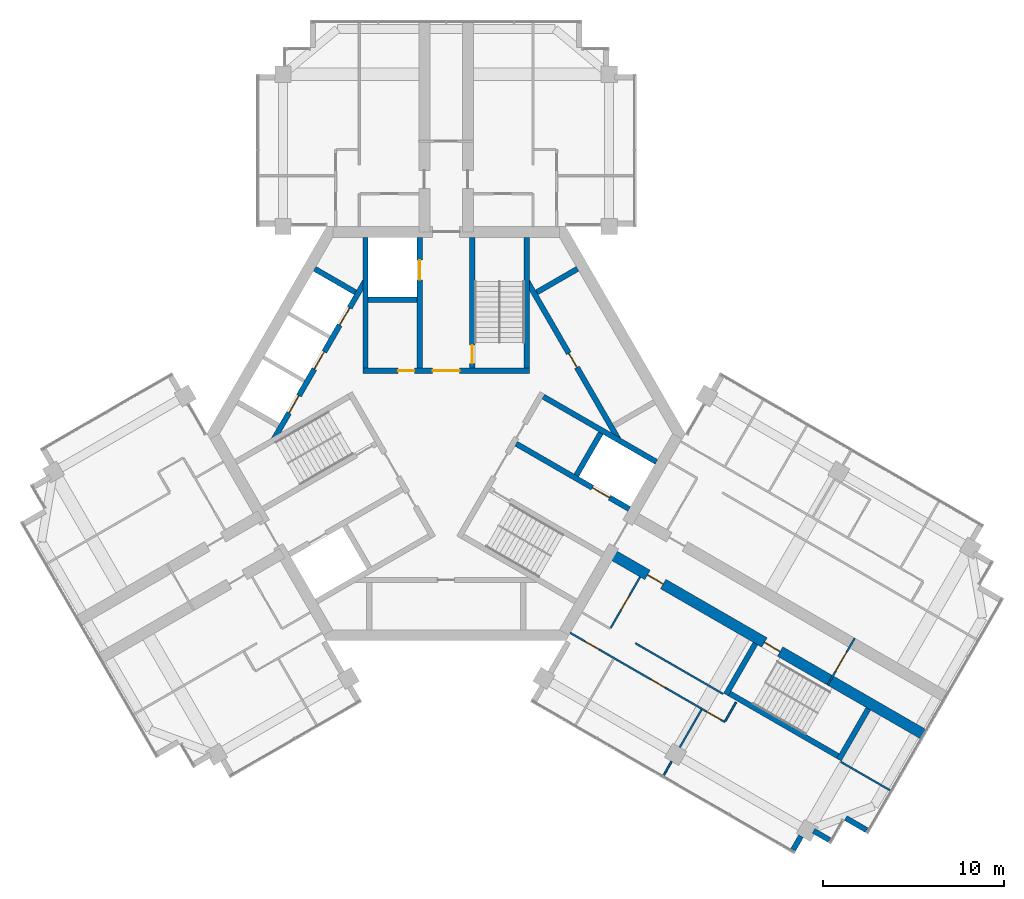
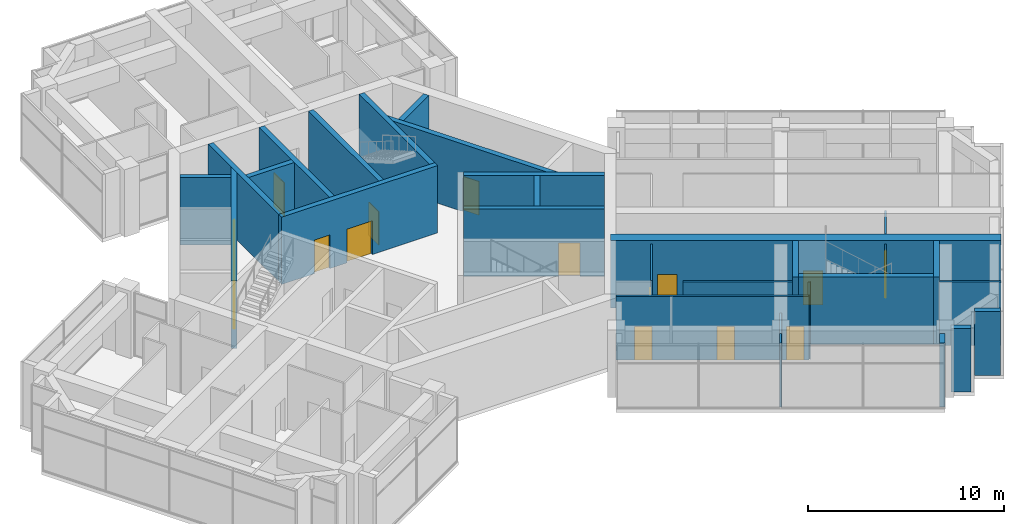
# One storey, part 10 of 13: 28 walls, 16 doors, 16 openings.
"""IFC4 building model written with IfcOpenShell, lengths in metres."""

from ifc_helpers import new_model, si_unit, direction, frame, frame_2d, origin, place, context, subcontext, project, spatial, rectangle, extrude, material, layer, layer_set, type_object, element, fill, save


model = new_model("IFC4")

# Units and contexts
model_context = context("Model", 3, precision=1e-05, world=origin(), true_north=direction((0.0, 1.0)))
body_context = subcontext(model_context, "Body", "Model", "MODEL_VIEW")
ifc_project = project(units=[si_unit("LENGTHUNIT", "METRE"), si_unit("AREAUNIT", "SQUARE_METRE"), si_unit("VOLUMEUNIT", "CUBIC_METRE"), si_unit("PLANEANGLEUNIT", "RADIAN"), si_unit("MASSUNIT", "GRAM", prefix="KILO")], contexts=[model_context])

# Site, building, storey
site_placement = place(None, origin())
site = spatial("IfcSite", under=ifc_project, at=site_placement, CompositionType="ELEMENT")
building_placement = place(site_placement, origin())
building = spatial("IfcBuilding", under=site, at=building_placement, Name="Impinga Residences", CompositionType="ELEMENT")
storey_placement = place(building_placement, frame((0.0, 0.0, 287.35009765625)))
storey = spatial("IfcBuildingStorey", under=building, at=storey_placement, Name="L72", CompositionType="ELEMENT", Elevation=287.35009765625)

# Wall, openings, doors
ifc_material_1 = material(Name="Concrete C60/75", Category="concrete")
ifc_layer_1 = layer(ifc_material_1, 0.60009765625)
ifc_layer_set_1 = layer_set([ifc_layer_1], Name="Concrete C60/75")
wall_type_1 = type_object("IfcWallType", Name="BW3 corridor buttress wall, L46 to L73 600", PredefinedType="SHEAR", material=ifc_layer_set_1)
wall_1_placement = place(storey_placement, frame((9.040283203125, -6.60498046875, 0.0), z_axis=(0.0, 0.0, 1.0), x_axis=(0.866025922281, -0.499999101937, 0.0)))
wall_1 = element("IfcWall", 1, at=wall_1_placement, inside=storey, type_object=wall_type_1, Name="Corridor wall BW3 ED L72", PredefinedType="SHEAR", context=body_context, shape_type="SweptSolid", body=[
    extrude(rectangle(XDim=19.93798828125, YDim=0.60009765625, at=frame_2d((9.968994140625, 0.0))), origin(), (0.0, 0.0, 1.0), 4.199951171875),
])
opening_1_placement = place(wall_1_placement, frame((9.85009765625, 0.0, 0.0)))
opening_1 = element("IfcOpeningElement", 2, at=opening_1_placement, cuts=wall_1, Name="Opening D5", PredefinedType="OPENING", context=body_context, shape_type="SweptSolid", body=[
    extrude(rectangle(XDim=1.0, YDim=2.10009765625, at=frame_2d((0.5, 1.050048828125))), frame((0.0, 0.31005859375, 0.0), z_axis=(0.0, -1.0, 0.0), x_axis=(1.0, 0.0, 0.0)), (0.0, 0.0, 1.0), 0.6201171875),
])
opening_2_placement = place(wall_1_placement, frame((2.39990234375, 0.0, 0.0)))
opening_2 = element("IfcOpeningElement", 3, at=opening_2_placement, cuts=wall_1, Name="Opening D1", PredefinedType="OPENING", context=body_context, shape_type="SweptSolid", body=[
    extrude(rectangle(XDim=1.0, YDim=2.10009765625, at=frame_2d((0.5, 1.050048828125))), frame((0.0, 0.31005859375, 0.0), z_axis=(0.0, -1.0, 0.0), x_axis=(1.0, 0.0, 0.0)), (0.0, 0.0, 1.0), 0.6201171875),
])
ifc_material_2 = material(Name="Timber door set", Category="wood")
door_type_1 = type_object("IfcDoorType", Name="D1 apartment entrance door 1000x2100", OperationType="SINGLE_SWING_LEFT", PredefinedType="DOOR", material=ifc_material_2)
door_1_placement = place(opening_2_placement, origin())
door_1 = element("IfcDoor", 4, at=door_1_placement, inside=storey, type_object=door_type_1, Name="Apartment L72-EF1 entrance", OperationType="SINGLE_SWING_LEFT", OverallHeight=2.10009765625, OverallWidth=1.0, PredefinedType="DOOR", context=body_context, shape_type="SweptSolid", body=[
    extrude(rectangle(XDim=1.0, YDim=2.10009765625, at=frame_2d((0.5, 1.050048828125))), frame((0.0, 0.02490234375, 0.0), z_axis=(0.0, -1.0, 0.0), x_axis=(1.0, 0.0, 0.0)), (0.0, 0.0, 1.0), 0.050048828125),
])
fill(opening_2, door_1)
door_type_2 = type_object("IfcDoorType", Name="D5 stair door 1000x2100", OperationType="SINGLE_SWING_LEFT", PredefinedType="DOOR", material=ifc_material_2)
door_2_placement = place(opening_1_placement, origin())
door_2 = element("IfcDoor", 5, at=door_2_placement, inside=storey, type_object=door_type_2, Name="Wing stair door E", OperationType="SINGLE_SWING_RIGHT", OverallHeight=2.10009765625, OverallWidth=1.0, PredefinedType="DOOR", context=body_context, shape_type="SweptSolid", body=[
    extrude(rectangle(XDim=1.0, YDim=2.10009765625, at=frame_2d((0.5, 1.050048828125))), frame((0.0, 0.02490234375, 0.0), z_axis=(0.0, -1.0, 0.0), x_axis=(1.0, 0.0, 0.0)), (0.0, 0.0, 1.0), 0.050048828125),
])
fill(opening_1, door_2)

# Wall, opening, door
ifc_material_3 = material(Name="Concrete blockwork", Category="masonry")
ifc_layer_2 = layer(ifc_material_3, 0.10009765625)
ifc_layer_set_2 = layer_set([ifc_layer_2], Name="CP1 core room partition, blockwork 100")
wall_type_2 = type_object("IfcWallType", Name="CP1 core room partition, blockwork 100", PredefinedType="PARTITIONING", material=ifc_layer_set_2)
wall_2_placement = place(storey_placement, frame((22.557861328125, -11.291748046875, 0.0), z_axis=(0.0, 0.0, 1.0), x_axis=(-0.499990139034, -0.866031096941, 0.0)))
wall_2 = element("IfcWall", 6, at=wall_2_placement, inside=storey, type_object=wall_type_2, Name="Core room partition, blockwork L72:E:LNG", PredefinedType="PARTITIONING", context=body_context, shape_type="SweptSolid", body=[
    extrude(rectangle(XDim=3.0, YDim=0.10009765625, at=frame_2d((1.5, 0.0))), origin(), (0.0, 0.0, 1.0), 3.97998046875),
])
opening_3_placement = place(wall_2_placement, frame((0.89990234375, 0.0, 0.0)))
opening_3 = element("IfcOpeningElement", 7, at=opening_3_placement, cuts=wall_2, Name="Opening D3", PredefinedType="OPENING", context=body_context, shape_type="SweptSolid", body=[
    extrude(rectangle(XDim=1.199951171875, YDim=2.10009765625, at=frame_2d((0.60009765625, 1.050048828125))), frame((0.0, 0.06005859375, 0.0), z_axis=(0.0, -1.0, 0.0), x_axis=(1.0, 0.0, 0.0)), (0.0, 0.0, 1.0), 0.1201171875),
])
door_type_3 = type_object("IfcDoorType", Name="D3 room door, leaf and a half 1200x2100", OperationType="DOUBLE_SWING_LEFT", PredefinedType="DOOR", material=ifc_material_2)
door_3_placement = place(opening_3_placement, origin())
door_3 = element("IfcDoor", 8, at=door_3_placement, inside=storey, type_object=door_type_3, Name="Residents' lounge door E", OperationType="DOUBLE_SWING_LEFT", OverallHeight=2.10009765625, OverallWidth=1.199951171875, PredefinedType="DOOR", context=body_context, shape_type="SweptSolid", body=[
    extrude(rectangle(XDim=1.199951171875, YDim=2.10009765625, at=frame_2d((0.60009765625, 1.050048828125))), frame((0.0, 0.02490234375, 0.0), z_axis=(0.0, -1.0, 0.0), x_axis=(1.0, 0.0, 0.0)), (0.0, 0.0, 1.0), 0.050048828125),
])
fill(opening_3, door_3)

# Walls
ifc_material_4 = material(Name="Stone facing on blockwork", Category="masonry")
ifc_layer_3 = layer(ifc_material_4, 0.300048828125)
ifc_layer_set_3 = layer_set([ifc_layer_3], Name="EW2 external wall, stone facing on blockwork 300")
wall_type_3 = type_object("IfcWallType", Name="EW2 external wall, stone facing on blockwork 300", PredefinedType="SOLIDWALL", material=ifc_layer_set_3)
wall_3_placement = place(storey_placement, frame((23.212158203125, -21.888671875, 0.0), z_axis=(0.0, 0.0, 1.0), x_axis=(-0.866020521143, 0.500008456887, 0.0)))
element("IfcWall", 9, at=wall_3_placement, inside=storey, type_object=wall_type_3, Name="External wall EW2 L72", PredefinedType="SOLIDWALL", context=body_context, shape_type="SweptSolid", body=[
    extrude(rectangle(XDim=1.330078125, YDim=0.300048828125, at=frame_2d((0.6650390625, 0.0))), origin(), (0.0, 0.0, 1.0), 3.97998046875),
])
wall_4_placement = place(storey_placement, frame((21.1630859375, -22.4375, 0.0), z_axis=(0.0, 0.0, 1.0), x_axis=(-0.866133525259, 0.499812681335, 0.0)))
element("IfcWall", 10, at=wall_4_placement, inside=storey, type_object=wall_type_3, Name="External wall EW2 L72", PredefinedType="SOLIDWALL", context=body_context, shape_type="SweptSolid", body=[
    extrude(rectangle(XDim=1.01513671875, YDim=0.300048828125, at=frame_2d((0.507568359375, 0.0))), origin(), (0.0, 0.0, 1.0), 3.97998046875),
])
wall_5_placement = place(storey_placement, frame((19.5927734375, -22.227294921875, 0.0), z_axis=(0.0, 0.0, 1.0), x_axis=(-0.499885902046, -0.866091268248, 0.0)))
element("IfcWall", 11, at=wall_5_placement, inside=storey, type_object=wall_type_3, Name="External wall EW2 L72", PredefinedType="SOLIDWALL", context=body_context, shape_type="SweptSolid", body=[
    extrude(rectangle(XDim=0.862060546875, YDim=0.300048828125, at=frame_2d((0.43115234375, 0.0))), origin(), (0.0, 0.0, 1.0), 3.97998046875),
])
ifc_material_5 = material(Name="Gypsum board on steel studs", Category="steel")
ifc_layer_4 = layer(ifc_material_5, 0.10009765625)
ifc_layer_set_4 = layer_set([ifc_layer_4], Name="Gypsum board on steel studs")
wall_type_4 = type_object("IfcWallType", Name="IP1 partition 100", PredefinedType="PARTITIONING", material=ifc_layer_set_4)
wall_6_placement = place(storey_placement, frame((10.444580078125, -11.57275390625, 0.0), z_axis=(0.0, 0.0, 1.0), x_axis=(0.866015695474, -0.500016814911, 0.0)))
element("IfcWall", 12, at=wall_6_placement, inside=storey, type_object=wall_type_4, Name="Partition L72-EF1:DIV1", PredefinedType="PARTITIONING", context=body_context, shape_type="SweptSolid", body=[
    extrude(rectangle(XDim=5.599853515625, YDim=0.10009765625, at=frame_2d((2.7998046875, 0.0))), origin(), (0.0, 0.0, 1.0), 3.97998046875),
])
wall_7_placement = place(storey_placement, frame((21.789306640625, -18.122802734375, 0.0), z_axis=(0.0, 0.0, 1.0), x_axis=(0.8660508054, -0.499956000529, 0.0)))
element("IfcWall", 13, at=wall_7_placement, inside=storey, type_object=wall_type_4, Name="Partition L72-EF1:DIV2", PredefinedType="PARTITIONING", context=body_context, shape_type="SweptSolid", body=[
    extrude(rectangle(XDim=3.136962890625, YDim=0.10009765625, at=frame_2d((1.568359375, 0.0))), origin(), (0.0, 0.0, 1.0), 3.97998046875),
])

# Wall, openings, doors
wall_8_placement = place(storey_placement, frame((6.85009765625, -10.99853515625, 0.0), z_axis=(0.0, 0.0, 1.0), x_axis=(0.866021308241, -0.500007093622, 0.0)))
wall_8 = element("IfcWall", 14, at=wall_8_placement, inside=storey, type_object=wall_type_4, Name="Partition L72-EF1:STRIP", PredefinedType="PARTITIONING", context=body_context, shape_type="SweptSolid", body=[
    extrude(rectangle(XDim=9.849853515625, YDim=0.10009765625, at=frame_2d((4.9248046875, 0.0))), origin(), (0.0, 0.0, 1.0), 3.97998046875),
])
opening_4_placement = place(wall_8_placement, frame((0.925048828125, 0.0, 0.0)))
opening_4 = element("IfcOpeningElement", 15, at=opening_4_placement, cuts=wall_8, Name="Opening D2", PredefinedType="OPENING", context=body_context, shape_type="SweptSolid", body=[
    extrude(rectangle(XDim=0.89990234375, YDim=2.10009765625, at=frame_2d((0.449951171875, 1.050048828125))), frame((0.0, 0.06005859375, 0.0), z_axis=(0.0, -1.0, 0.0), x_axis=(1.0, 0.0, 0.0)), (0.0, 0.0, 1.0), 0.1201171875),
])
opening_5_placement = place(wall_8_placement, frame((5.14990234375, 0.0, 0.0)))
opening_5 = element("IfcOpeningElement", 16, at=opening_5_placement, cuts=wall_8, Name="Opening D2", PredefinedType="OPENING", context=body_context, shape_type="SweptSolid", body=[
    extrude(rectangle(XDim=0.89990234375, YDim=2.10009765625, at=frame_2d((0.449951171875, 1.050048828125))), frame((0.0, 0.06005859375, 0.0), z_axis=(0.0, -1.0, 0.0), x_axis=(1.0, 0.0, 0.0)), (0.0, 0.0, 1.0), 0.1201171875),
])
opening_6_placement = place(wall_8_placement, frame((8.699951171875, 0.0, 0.0)))
opening_6 = element("IfcOpeningElement", 17, at=opening_6_placement, cuts=wall_8, Name="Opening D2", PredefinedType="OPENING", context=body_context, shape_type="SweptSolid", body=[
    extrude(rectangle(XDim=0.89990234375, YDim=2.10009765625, at=frame_2d((0.449951171875, 1.050048828125))), frame((0.0, 0.06005859375, 0.0), z_axis=(0.0, -1.0, 0.0), x_axis=(1.0, 0.0, 0.0)), (0.0, 0.0, 1.0), 0.1201171875),
])
door_type_4 = type_object("IfcDoorType", Name="D2 internal door 900x2100", OperationType="SINGLE_SWING_LEFT", PredefinedType="DOOR", material=ifc_material_2)
door_4_placement = place(opening_4_placement, origin())
door_4 = element("IfcDoor", 18, at=door_4_placement, inside=storey, type_object=door_type_4, Name="Apartment L72-EF1 room door", OperationType="SINGLE_SWING_LEFT", OverallHeight=2.10009765625, OverallWidth=0.89990234375, PredefinedType="DOOR", context=body_context, shape_type="SweptSolid", body=[
    extrude(rectangle(XDim=0.89990234375, YDim=2.10009765625, at=frame_2d((0.449951171875, 1.050048828125))), frame((0.0, 0.02490234375, 0.0), z_axis=(0.0, -1.0, 0.0), x_axis=(1.0, 0.0, 0.0)), (0.0, 0.0, 1.0), 0.050048828125),
])
fill(opening_4, door_4)
door_5_placement = place(opening_5_placement, origin())
door_5 = element("IfcDoor", 19, at=door_5_placement, inside=storey, type_object=door_type_4, Name="Apartment L72-EF1 room door", OperationType="SINGLE_SWING_RIGHT", OverallHeight=2.10009765625, OverallWidth=0.89990234375, PredefinedType="DOOR", context=body_context, shape_type="SweptSolid", body=[
    extrude(rectangle(XDim=0.89990234375, YDim=2.10009765625, at=frame_2d((0.449951171875, 1.050048828125))), frame((0.0, 0.02490234375, 0.0), z_axis=(0.0, -1.0, 0.0), x_axis=(1.0, 0.0, 0.0)), (0.0, 0.0, 1.0), 0.050048828125),
])
fill(opening_5, door_5)
door_6_placement = place(opening_6_placement, origin())
door_6 = element("IfcDoor", 20, at=door_6_placement, inside=storey, type_object=door_type_4, Name="Apartment L72-EF1 room door", OperationType="SINGLE_SWING_RIGHT", OverallHeight=2.10009765625, OverallWidth=0.89990234375, PredefinedType="DOOR", context=body_context, shape_type="SweptSolid", body=[
    extrude(rectangle(XDim=0.89990234375, YDim=2.10009765625, at=frame_2d((0.449951171875, 1.050048828125))), frame((0.0, 0.02490234375, 0.0), z_axis=(0.0, -1.0, 0.0), x_axis=(1.0, 0.0, 0.0)), (0.0, 0.0, 1.0), 0.050048828125),
])
fill(opening_6, door_6)

# Wall
wall_9_placement = place(storey_placement, frame((16.00537109375, -14.841064453125, 0.0), z_axis=(0.0, 0.0, 1.0), x_axis=(-0.50012165622, -0.865955154139, 0.0)))
element("IfcWall", 21, at=wall_9_placement, inside=storey, type_object=wall_type_4, Name="Partition L72-EF1:SE1", PredefinedType="PARTITIONING", context=body_context, shape_type="SweptSolid", body=[
    extrude(rectangle(XDim=1.199951171875, YDim=0.10009765625, at=frame_2d((0.60009765625, 0.0))), origin(), (0.0, 0.0, 1.0), 3.97998046875),
])

# Wall, opening, door
wall_10_placement = place(storey_placement, frame((10.708740234375, -7.914794921875, 0.0), z_axis=(0.0, 0.0, 1.0), x_axis=(-0.499984717929, -0.866034226713, 0.0)))
wall_10 = element("IfcWall", 22, at=wall_10_placement, inside=storey, type_object=wall_type_4, Name="Partition L72-EF1:IB1", PredefinedType="PARTITIONING", context=body_context, shape_type="SweptSolid", body=[
    extrude(rectangle(XDim=3.25, YDim=0.10009765625, at=frame_2d((1.625, 0.0))), origin(), (0.0, 0.0, 1.0), 3.97998046875),
])
opening_7_placement = place(wall_10_placement, frame((1.175048828125, 0.0, 0.0)))
opening_7 = element("IfcOpeningElement", 23, at=opening_7_placement, cuts=wall_10, Name="Opening D2", PredefinedType="OPENING", context=body_context, shape_type="SweptSolid", body=[
    extrude(rectangle(XDim=0.89990234375, YDim=2.10009765625, at=frame_2d((0.449951171875, 1.050048828125))), frame((0.0, 0.06005859375, 0.0), z_axis=(0.0, -1.0, 0.0), x_axis=(1.0, 0.0, 0.0)), (0.0, 0.0, 1.0), 0.1201171875),
])
door_7_placement = place(opening_7_placement, origin())
door_7 = element("IfcDoor", 24, at=door_7_placement, inside=storey, type_object=door_type_4, Name="Apartment L72-EF1 bathroom door", OperationType="SINGLE_SWING_LEFT", OverallHeight=2.10009765625, OverallWidth=0.89990234375, PredefinedType="DOOR", context=body_context, shape_type="SweptSolid", body=[
    extrude(rectangle(XDim=0.89990234375, YDim=2.10009765625, at=frame_2d((0.449951171875, 1.050048828125))), frame((0.0, 0.02490234375, 0.0), z_axis=(0.0, -1.0, 0.0), x_axis=(1.0, 0.0, 0.0)), (0.0, 0.0, 1.0), 0.050048828125),
])
fill(opening_7, door_7)

# Walls
wall_11_placement = place(storey_placement, frame((14.099609375, -15.241943359375, 0.0), z_axis=(0.0, 0.0, 1.0), x_axis=(-0.500001309137, -0.866024647952, 0.0)))
element("IfcWall", 25, at=wall_11_placement, inside=storey, type_object=wall_type_4, Name="Partition L72-EF1:OB2", PredefinedType="PARTITIONING", context=body_context, shape_type="SweptSolid", body=[
    extrude(rectangle(XDim=2.39990234375, YDim=0.10009765625, at=frame_2d((1.199951171875, 0.0))), origin(), (0.0, 0.0, 1.0), 2.929931640625),
])
wall_12_placement = place(storey_placement, frame((12.44970703125, -18.099609375, 0.0), z_axis=(0.0, 0.0, 1.0), x_axis=(-0.500014901547, -0.866016800201, 0.0)))
element("IfcWall", 26, at=wall_12_placement, inside=storey, type_object=wall_type_4, Name="Partition L72-EF1:OB2b", PredefinedType="PARTITIONING", context=body_context, shape_type="SweptSolid", body=[
    extrude(rectangle(XDim=0.8671875, YDim=0.10009765625, at=frame_2d((0.43359375, 0.0))), origin(), (0.0, 0.0, 1.0), 3.97998046875),
])
ifc_layer_5 = layer(ifc_material_1, 0.300048828125)
ifc_layer_set_5 = layer_set([ifc_layer_5], Name="Concrete C60/75")
wall_type_5 = type_object("IfcWallType", Name="SE1 wing stair enclosure wall 300", PredefinedType="SOLIDWALL", material=ifc_layer_set_5)
for number, where, z_axis, x_axis, name in (
    (27, (17.07421875, -11.58984375, 0.0), (0.0, 0.0, 1.0), (-0.500017246033, -0.866015446554, 0.0), "Stair enclosure wall SE1 E END0 L72"),
    (28, (23.3095703125, -15.189697265625, 0.0), (0.0, 0.0, 1.0), (-0.499984717929, -0.866034226713, 0.0), "Stair enclosure wall SE1 E END1 L72"),
):
    element("IfcWall", number, at=place(storey_placement, frame(where, z_axis=z_axis, x_axis=x_axis)), inside=storey, type_object=wall_type_5, Name=name, PredefinedType="SOLIDWALL", context=body_context, shape_type="SweptSolid", body=[
        extrude(rectangle(XDim=3.25, YDim=0.300048828125, at=frame_2d((1.625, 0.0))), origin(), (0.0, 0.0, 1.0), 4.199951171875),
    ])
wall_13_placement = place(storey_placement, frame((15.654052734375, -14.349365234375, 0.0), z_axis=(0.0, 0.0, 1.0), x_axis=(0.866013532718, -0.500020560727, 0.0)))
element("IfcWall", 29, at=wall_13_placement, inside=storey, type_object=wall_type_5, Name="Stair enclosure wall SE1 E OUT L72", PredefinedType="SOLIDWALL", context=body_context, shape_type="SweptSolid", body=[
    extrude(rectangle(XDim=6.900146484375, YDim=0.300048828125, at=frame_2d((3.4501953125, 0.0))), origin(), (0.0, 0.0, 1.0), 4.199951171875),
])

# Wall, openings, doors
ifc_material_6 = material(Name="Concrete C70/85", Category="concrete")
ifc_layer_6 = layer(ifc_material_6, 0.300048828125)
ifc_layer_set_6 = layer_set([ifc_layer_6], Name="Concrete C70/85")
wall_type_6 = type_object("IfcWallType", Name="SW5 core inner wall, stairs, shafts and lobbies 300", PredefinedType="SHEAR", material=ifc_layer_set_6)
wall_14_placement = place(storey_placement, frame((-4.60009765625, 3.47998046875, 0.0), z_axis=(0.0, 0.0, 1.0), x_axis=(1.0, 0.0, 0.0)))
wall_14 = element("IfcWall", 30, at=wall_14_placement, inside=storey, type_object=wall_type_6, Name="Core wall SW5 N:ZONE L72", PredefinedType="SHEAR", context=body_context, shape_type="SweptSolid", body=[
    extrude(rectangle(XDim=9.2001953125, YDim=0.300048828125, at=frame_2d((4.60009765625, 0.0))), origin(), (0.0, 0.0, 1.0), 4.199951171875),
])
opening_8_placement = place(wall_14_placement, frame((3.85009765625, 0.0, 0.0)))
opening_8 = element("IfcOpeningElement", 31, at=opening_8_placement, cuts=wall_14, Name="Opening D4", PredefinedType="OPENING", context=body_context, shape_type="SweptSolid", body=[
    extrude(rectangle(XDim=1.5, YDim=2.10009765625, at=frame_2d((0.75, 1.050048828125))), frame((0.0, 0.159912109375, 0.0), z_axis=(0.0, -1.0, 0.0), x_axis=(1.0, 0.0, 0.0)), (0.0, 0.0, 1.0), 0.320068359375),
])
opening_9_placement = place(wall_14_placement, frame((1.949951171875, 0.0, 0.0)))
opening_9 = element("IfcOpeningElement", 32, at=opening_9_placement, cuts=wall_14, Name="Opening D6", PredefinedType="OPENING", context=body_context, shape_type="SweptSolid", body=[
    extrude(rectangle(XDim=0.89990234375, YDim=2.10009765625, at=frame_2d((0.449951171875, 1.050048828125))), frame((0.0, 0.159912109375, 0.0), z_axis=(0.0, -1.0, 0.0), x_axis=(1.0, 0.0, 0.0)), (0.0, 0.0, 1.0), 0.320068359375),
])
door_type_5 = type_object("IfcDoorType", Name="D4 lobby door pair 1500x2100", OperationType="DOUBLE_DOOR_DOUBLE_SWING", PredefinedType="DOOR", material=ifc_material_2)
door_8_placement = place(opening_8_placement, origin())
door_8 = element("IfcDoor", 33, at=door_8_placement, inside=storey, type_object=door_type_5, Name="Firefighting lobby door N", OperationType="DOUBLE_DOOR_DOUBLE_SWING", OverallHeight=2.10009765625, OverallWidth=1.5, PredefinedType="DOOR", context=body_context, shape_type="SweptSolid", body=[
    extrude(rectangle(XDim=1.5, YDim=2.10009765625, at=frame_2d((0.75, 1.050048828125))), frame((0.0, 0.02490234375, 0.0), z_axis=(0.0, -1.0, 0.0), x_axis=(1.0, 0.0, 0.0)), (0.0, 0.0, 1.0), 0.050048828125),
])
fill(opening_8, door_8)
door_type_6 = type_object("IfcDoorType", Name="D6 riser and store door 900x2100", OperationType="SINGLE_SWING_LEFT", PredefinedType="DOOR", material=ifc_material_2)
door_9_placement = place(opening_9_placement, origin())
door_9 = element("IfcDoor", 34, at=door_9_placement, inside=storey, type_object=door_type_6, Name="Riser door N", OperationType="SINGLE_SWING_LEFT", OverallHeight=2.10009765625, OverallWidth=0.89990234375, PredefinedType="DOOR", context=body_context, shape_type="SweptSolid", body=[
    extrude(rectangle(XDim=0.89990234375, YDim=2.10009765625, at=frame_2d((0.449951171875, 1.050048828125))), frame((0.0, 0.02490234375, 0.0), z_axis=(0.0, -1.0, 0.0), x_axis=(1.0, 0.0, 0.0)), (0.0, 0.0, 1.0), 0.050048828125),
])
fill(opening_9, door_9)

# Wall, opening, door
wall_15_placement = place(storey_placement, frame((1.449951171875, 3.6298828125, 0.0), z_axis=(0.0, 0.0, 1.0), x_axis=(0.0, 1.0, 0.0)))
wall_15 = element("IfcWall", 35, at=wall_15_placement, inside=storey, type_object=wall_type_6, Name="Core wall SW5 N:ST-IN L72", PredefinedType="SHEAR", context=body_context, shape_type="SweptSolid", body=[
    extrude(rectangle(XDim=7.20166015625, YDim=0.300048828125, at=frame_2d((3.600830078125, 0.0))), origin(), (0.0, 0.0, 1.0), 4.199951171875),
])
opening_10_placement = place(wall_15_placement, frame((0.25, 0.0, 0.0)))
opening_10 = element("IfcOpeningElement", 36, at=opening_10_placement, cuts=wall_15, Name="Opening D5", PredefinedType="OPENING", context=body_context, shape_type="SweptSolid", body=[
    extrude(rectangle(XDim=1.0, YDim=2.10009765625, at=frame_2d((0.5, 1.050048828125))), frame((0.0, 0.159912109375, 0.0), z_axis=(0.0, -1.0, 0.0), x_axis=(1.0, 0.0, 0.0)), (0.0, 0.0, 1.0), 0.320068359375),
])
door_10_placement = place(opening_10_placement, origin())
door_10 = element("IfcDoor", 37, at=door_10_placement, inside=storey, type_object=door_type_2, Name="Stair door N", OperationType="SINGLE_SWING_LEFT", OverallHeight=2.10009765625, OverallWidth=1.0, PredefinedType="DOOR", context=body_context, shape_type="SweptSolid", body=[
    extrude(rectangle(XDim=1.0, YDim=2.10009765625, at=frame_2d((0.5, 1.050048828125))), frame((0.0, 0.02490234375, 0.0), z_axis=(0.0, -1.0, 0.0), x_axis=(1.0, 0.0, 0.0)), (0.0, 0.0, 1.0), 0.050048828125),
])
fill(opening_10, door_10)

# Wall
wall_16_placement = place(storey_placement, frame((4.449951171875, 3.6298828125, 0.0), z_axis=(0.0, 0.0, 1.0), x_axis=(0.0, 1.0, 0.0)))
element("IfcWall", 38, at=wall_16_placement, inside=storey, type_object=wall_type_6, Name="Core wall SW5 N:ST-OUT L72", PredefinedType="SHEAR", context=body_context, shape_type="SweptSolid", body=[
    extrude(rectangle(XDim=7.20166015625, YDim=0.300048828125, at=frame_2d((3.600830078125, 0.0))), origin(), (0.0, 0.0, 1.0), 4.199951171875),
])

# Wall, opening, door
wall_17_placement = place(storey_placement, frame((-1.449951171875, 3.6298828125, 0.0), z_axis=(0.0, 0.0, 1.0), x_axis=(0.0, 1.0, 0.0)))
wall_17 = element("IfcWall", 39, at=wall_17_placement, inside=storey, type_object=wall_type_6, Name="Core wall SW5 N:FF-IN L72", PredefinedType="SHEAR", context=body_context, shape_type="SweptSolid", body=[
    extrude(rectangle(XDim=7.20166015625, YDim=0.300048828125, at=frame_2d((3.600830078125, 0.0))), origin(), (0.0, 0.0, 1.0), 4.199951171875),
])
opening_11_placement = place(wall_17_placement, frame((4.85009765625, 0.0, 0.0)))
opening_11 = element("IfcOpeningElement", 40, at=opening_11_placement, cuts=wall_17, Name="Opening LD2", PredefinedType="OPENING", context=body_context, shape_type="SweptSolid", body=[
    extrude(rectangle(XDim=1.10009765625, YDim=2.10009765625, at=frame_2d((0.550048828125, 1.050048828125))), frame((0.0, 0.159912109375, 0.0), z_axis=(0.0, -1.0, 0.0), x_axis=(1.0, 0.0, 0.0)), (0.0, 0.0, 1.0), 0.320068359375),
])
ifc_material_7 = material(Name="Steel lift landing door", Category="steel")
door_type_7 = type_object("IfcDoorType", Name="LD2 firefighting lift landing door 1100x2100", OperationType="DOUBLE_DOOR_SLIDING", PredefinedType="DOOR", material=ifc_material_7)
door_11_placement = place(opening_11_placement, origin())
door_11 = element("IfcDoor", 41, at=door_11_placement, inside=storey, type_object=door_type_7, Name="Firefighting lift landing door F1", OperationType="DOUBLE_DOOR_SLIDING", OverallHeight=2.10009765625, OverallWidth=1.10009765625, PredefinedType="DOOR", context=body_context, shape_type="SweptSolid", body=[
    extrude(rectangle(XDim=1.10009765625, YDim=2.10009765625, at=frame_2d((0.550048828125, 1.050048828125))), frame((0.0, 0.02490234375, 0.0), z_axis=(0.0, -1.0, 0.0), x_axis=(1.0, 0.0, 0.0)), (0.0, 0.0, 1.0), 0.050048828125),
])
fill(opening_11, door_11)

# Walls
wall_18_placement = place(storey_placement, frame((-4.449951171875, 3.6298828125, 0.0), z_axis=(0.0, 0.0, 1.0), x_axis=(0.0, 1.0, 0.0)))
element("IfcWall", 42, at=wall_18_placement, inside=storey, type_object=wall_type_6, Name="Core wall SW5 N:FF-OUT L72", PredefinedType="SHEAR", context=body_context, shape_type="SweptSolid", body=[
    extrude(rectangle(XDim=7.20166015625, YDim=0.300048828125, at=frame_2d((3.600830078125, 0.0))), origin(), (0.0, 0.0, 1.0), 4.199951171875),
])
wall_19_placement = place(storey_placement, frame((-4.300048828125, 7.3798828125, 0.0), z_axis=(0.0, 0.0, 1.0), x_axis=(1.0, 0.0, 0.0)))
element("IfcWall", 43, at=wall_19_placement, inside=storey, type_object=wall_type_6, Name="Core wall SW5 N:FF-RS L72", PredefinedType="SHEAR", context=body_context, shape_type="SweptSolid", body=[
    extrude(rectangle(XDim=2.699951171875, YDim=0.300048828125, at=frame_2d((1.35009765625, 0.0))), origin(), (0.0, 0.0, 1.0), 4.199951171875),
])

# Wall, opening, door
wall_20_placement = place(storey_placement, frame((3.86865234375, -0.559326171875, 0.0), z_axis=(0.0, 0.0, 1.0), x_axis=(0.866039935929, -0.499974828743, 0.0)))
wall_20 = element("IfcWall", 44, at=wall_20_placement, inside=storey, type_object=wall_type_6, Name="Core wall SW5 E:FF-IN L72", PredefinedType="SHEAR", context=body_context, shape_type="SweptSolid", body=[
    extrude(rectangle(XDim=7.201416015625, YDim=0.300048828125, at=frame_2d((3.6005859375, 0.0))), origin(), (0.0, 0.0, 1.0), 4.199951171875),
])
opening_12_placement = place(wall_20_placement, frame((4.85009765625, 0.0, 0.0)))
opening_12 = element("IfcOpeningElement", 45, at=opening_12_placement, cuts=wall_20, Name="Opening LD2", PredefinedType="OPENING", context=body_context, shape_type="SweptSolid", body=[
    extrude(rectangle(XDim=1.10009765625, YDim=2.10009765625, at=frame_2d((0.550048828125, 1.050048828125))), frame((0.0, 0.159912109375, 0.0), z_axis=(0.0, -1.0, 0.0), x_axis=(1.0, 0.0, 0.0)), (0.0, 0.0, 1.0), 0.320068359375),
])
door_12_placement = place(opening_12_placement, origin())
door_12 = element("IfcDoor", 46, at=door_12_placement, inside=storey, type_object=door_type_7, Name="Firefighting lift landing door F3", OperationType="DOUBLE_DOOR_SLIDING", OverallHeight=2.10009765625, OverallWidth=1.10009765625, PredefinedType="DOOR", context=body_context, shape_type="SweptSolid", body=[
    extrude(rectangle(XDim=1.10009765625, YDim=2.10009765625, at=frame_2d((0.550048828125, 1.050048828125))), frame((0.0, 0.02490234375, 0.0), z_axis=(0.0, -1.0, 0.0), x_axis=(1.0, 0.0, 0.0)), (0.0, 0.0, 1.0), 0.050048828125),
])
fill(opening_12, door_12)

# Walls
wall_21_placement = place(storey_placement, frame((5.36865234375, 2.038818359375, 0.0), z_axis=(0.0, 0.0, 1.0), x_axis=(0.866025256649, -0.500000254847, 0.0)))
element("IfcWall", 47, at=wall_21_placement, inside=storey, type_object=wall_type_6, Name="Core wall SW5 E:FF-OUT L72", PredefinedType="SHEAR", context=body_context, shape_type="SweptSolid", body=[
    extrude(rectangle(XDim=7.20166015625, YDim=0.300048828125, at=frame_2d((3.600830078125, 0.0))), origin(), (0.0, 0.0, 1.0), 4.199951171875),
])
wall_22_placement = place(storey_placement, frame((8.541259765625, 0.033935546875, 0.0), z_axis=(0.0, 0.0, 1.0), x_axis=(-0.50000943426, -0.866019956843, 0.0)))
element("IfcWall", 48, at=wall_22_placement, inside=storey, type_object=wall_type_6, Name="Core wall SW5 E:FF-RS L72", PredefinedType="SHEAR", context=body_context, shape_type="SweptSolid", body=[
    extrude(rectangle(XDim=2.7001953125, YDim=0.300048828125, at=frame_2d((1.35009765625, 0.0))), origin(), (0.0, 0.0, 1.0), 4.199951171875),
])

# Wall, opening, door
wall_23_placement = place(storey_placement, frame((4.449951171875, 8.455322265625, 0.0), z_axis=(0.0, 0.0, 1.0), x_axis=(0.500002290144, -0.866024081565, 0.0)))
wall_23 = element("IfcWall", 49, at=wall_23_placement, inside=storey, type_object=wall_type_6, Name="Core wall SW5 W:BANK-FRONT L72", PredefinedType="SHEAR", context=body_context, shape_type="SweptSolid", body=[
    extrude(rectangle(XDim=10.1953125, YDim=0.300048828125, at=frame_2d((5.09765625, 0.0))), origin(), (0.0, 0.0, 1.0), 4.199951171875),
])
opening_13_placement = place(wall_23_placement, frame((4.647705078125, 0.0, 0.0)))
opening_13 = element("IfcOpeningElement", 50, at=opening_13_placement, cuts=wall_23, Name="Opening D6", PredefinedType="OPENING", context=body_context, shape_type="SweptSolid", body=[
    extrude(rectangle(XDim=0.89990234375, YDim=2.10009765625, at=frame_2d((0.449951171875, 1.050048828125))), frame((0.0, 0.159912109375, 0.0), z_axis=(0.0, -1.0, 0.0), x_axis=(1.0, 0.0, 0.0)), (0.0, 0.0, 1.0), 0.320068359375),
])
door_13_placement = place(opening_13_placement, origin())
door_13 = element("IfcDoor", 51, at=door_13_placement, inside=storey, type_object=door_type_6, Name="IT and communications room door", OperationType="SINGLE_SWING_RIGHT", OverallHeight=2.10009765625, OverallWidth=0.89990234375, PredefinedType="DOOR", context=body_context, shape_type="SweptSolid", body=[
    extrude(rectangle(XDim=0.89990234375, YDim=2.10009765625, at=frame_2d((0.449951171875, 1.050048828125))), frame((0.0, 0.02490234375, 0.0), z_axis=(0.0, -1.0, 0.0), x_axis=(1.0, 0.0, 0.0)), (0.0, 0.0, 1.0), 0.050048828125),
])
fill(opening_13, door_13)

# Wall
wall_24_placement = place(storey_placement, frame((5.003662109375, 7.79638671875, 0.0), z_axis=(0.0, 0.0, 1.0), x_axis=(0.866021400173, 0.500006934395, 0.0)))
element("IfcWall", 52, at=wall_24_placement, inside=storey, type_object=wall_type_6, Name="Core wall SW5 W:BANK-L L72", PredefinedType="SHEAR", context=body_context, shape_type="SweptSolid", body=[
    extrude(rectangle(XDim=2.60009765625, YDim=0.300048828125, at=frame_2d((1.300048828125, 0.0))), origin(), (0.0, 0.0, 1.0), 4.199951171875),
])

# Wall, openings, doors
wall_25_placement = place(storey_placement, frame((-9.547607421875, -0.3740234375, 0.0), z_axis=(0.0, 0.0, 1.0), x_axis=(0.500002290144, 0.866024081565, 0.0)))
wall_25 = element("IfcWall", 53, at=wall_25_placement, inside=storey, type_object=wall_type_6, Name="Core wall SW5 E:BANK-FRONT L72", PredefinedType="SHEAR", context=body_context, shape_type="SweptSolid", body=[
    extrude(rectangle(XDim=10.1953125, YDim=0.300048828125, at=frame_2d((5.09765625, 0.0))), origin(), (0.0, 0.0, 1.0), 4.199951171875),
])
opening_14_placement = place(wall_25_placement, frame((1.74755859375, 0.0, 0.0)))
opening_14 = element("IfcOpeningElement", 54, at=opening_14_placement, cuts=wall_25, Name="Opening LD1", PredefinedType="OPENING", context=body_context, shape_type="SweptSolid", body=[
    extrude(rectangle(XDim=1.10009765625, YDim=2.10009765625, at=frame_2d((0.550048828125, 1.050048828125))), frame((0.0, 0.159912109375, 0.0), z_axis=(0.0, -1.0, 0.0), x_axis=(1.0, 0.0, 0.0)), (0.0, 0.0, 1.0), 0.320068359375),
])
opening_15_placement = place(wall_25_placement, frame((4.547607421875, 0.0, 0.0)))
opening_15 = element("IfcOpeningElement", 55, at=opening_15_placement, cuts=wall_25, Name="Opening LD1", PredefinedType="OPENING", context=body_context, shape_type="SweptSolid", body=[
    extrude(rectangle(XDim=1.10009765625, YDim=2.10009765625, at=frame_2d((0.550048828125, 1.050048828125))), frame((0.0, 0.159912109375, 0.0), z_axis=(0.0, -1.0, 0.0), x_axis=(1.0, 0.0, 0.0)), (0.0, 0.0, 1.0), 0.320068359375),
])
opening_16_placement = place(wall_25_placement, frame((7.34765625, 0.0, 0.0)))
opening_16 = element("IfcOpeningElement", 56, at=opening_16_placement, cuts=wall_25, Name="Opening LD1", PredefinedType="OPENING", context=body_context, shape_type="SweptSolid", body=[
    extrude(rectangle(XDim=1.10009765625, YDim=2.10009765625, at=frame_2d((0.550048828125, 1.050048828125))), frame((0.0, 0.159912109375, 0.0), z_axis=(0.0, -1.0, 0.0), x_axis=(1.0, 0.0, 0.0)), (0.0, 0.0, 1.0), 0.320068359375),
])
door_type_8 = type_object("IfcDoorType", Name="LD1 passenger lift landing door 1100x2100", OperationType="DOUBLE_DOOR_SLIDING", PredefinedType="DOOR", material=ifc_material_7)
door_14_placement = place(opening_14_placement, origin())
door_14 = element("IfcDoor", 57, at=door_14_placement, inside=storey, type_object=door_type_8, Name="Lift landing door P7", OperationType="DOUBLE_DOOR_SLIDING", OverallHeight=2.10009765625, OverallWidth=1.10009765625, PredefinedType="DOOR", context=body_context, shape_type="SweptSolid", body=[
    extrude(rectangle(XDim=1.10009765625, YDim=2.10009765625, at=frame_2d((0.550048828125, 1.050048828125))), frame((0.0, 0.02490234375, 0.0), z_axis=(0.0, -1.0, 0.0), x_axis=(1.0, 0.0, 0.0)), (0.0, 0.0, 1.0), 0.050048828125),
])
fill(opening_14, door_14)
door_15_placement = place(opening_15_placement, origin())
door_15 = element("IfcDoor", 58, at=door_15_placement, inside=storey, type_object=door_type_8, Name="Lift landing door P8", OperationType="DOUBLE_DOOR_SLIDING", OverallHeight=2.10009765625, OverallWidth=1.10009765625, PredefinedType="DOOR", context=body_context, shape_type="SweptSolid", body=[
    extrude(rectangle(XDim=1.10009765625, YDim=2.10009765625, at=frame_2d((0.550048828125, 1.050048828125))), frame((0.0, 0.02490234375, 0.0), z_axis=(0.0, -1.0, 0.0), x_axis=(1.0, 0.0, 0.0)), (0.0, 0.0, 1.0), 0.050048828125),
])
fill(opening_15, door_15)
door_16_placement = place(opening_16_placement, origin())
door_16 = element("IfcDoor", 59, at=door_16_placement, inside=storey, type_object=door_type_8, Name="Lift landing door P9", OperationType="DOUBLE_DOOR_SLIDING", OverallHeight=2.10009765625, OverallWidth=1.10009765625, PredefinedType="DOOR", context=body_context, shape_type="SweptSolid", body=[
    extrude(rectangle(XDim=1.10009765625, YDim=2.10009765625, at=frame_2d((0.550048828125, 1.050048828125))), frame((0.0, 0.02490234375, 0.0), z_axis=(0.0, -1.0, 0.0), x_axis=(1.0, 0.0, 0.0)), (0.0, 0.0, 1.0), 0.050048828125),
])
fill(opening_16, door_16)

# Wall
wall_26_placement = place(storey_placement, frame((-5.003662109375, 7.79638671875, 0.0), z_axis=(0.0, 0.0, 1.0), x_axis=(-0.866021400173, 0.500006934395, 0.0)))
element("IfcWall", 60, at=wall_26_placement, inside=storey, type_object=wall_type_6, Name="Core wall SW5 E:BANK-R L72", PredefinedType="SHEAR", context=body_context, shape_type="SweptSolid", body=[
    extrude(rectangle(XDim=2.60009765625, YDim=0.300048828125, at=frame_2d((1.300048828125, 0.0))), origin(), (0.0, 0.0, 1.0), 4.199951171875),
])

save(model, "model.ifc")
